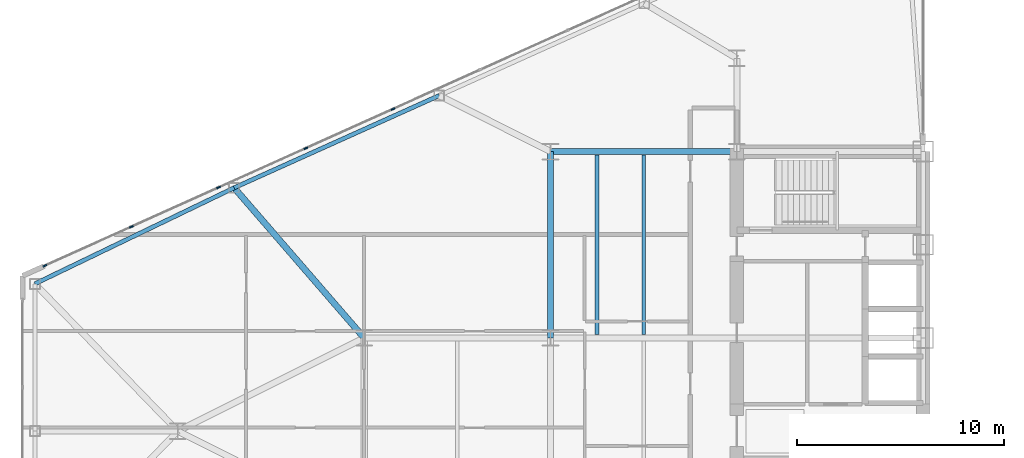
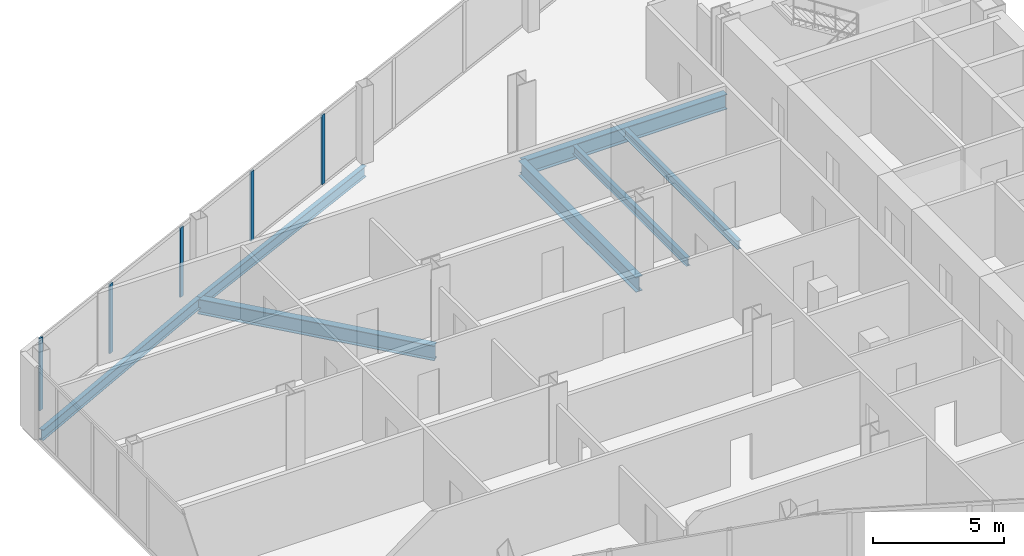
# One storey, part 7 of 27: 7 beams, 5 members, 1 element without a shape of its own.
"""IFC4 building model written with IfcOpenShell, lengths in metres."""

from ifc_helpers import new_model, si_unit, direction, frame, origin, origin_2d, place, context, subcontext, project, spatial, rectangle, i_section, extrude, source, transform, mapped, material, layer, layer_set, material_profile, profile_set, type_object, type_shapes, element, aggregate, save


model = new_model("IFC4")

# Units and contexts
model_context = context("Model", 3, precision=1e-05, world=origin(), true_north=direction((0.0, 1.0)))
body_context = subcontext(model_context, "Body", "Model", "MODEL_VIEW")
ifc_project = project(units=[si_unit("LENGTHUNIT", "METRE"), si_unit("AREAUNIT", "SQUARE_METRE"), si_unit("VOLUMEUNIT", "CUBIC_METRE"), si_unit("PLANEANGLEUNIT", "RADIAN"), si_unit("MASSUNIT", "GRAM", prefix="KILO")], contexts=[model_context])

# Site, building, storey
site_placement = place(None, origin())
site = spatial("IfcSite", under=ifc_project, at=site_placement, CompositionType="ELEMENT")
building_placement = place(site_placement, origin())
building = spatial("IfcBuilding", under=site, at=building_placement, Name="Seokmaru Belvedere", CompositionType="ELEMENT")
storey_placement = place(building_placement, frame((0.0, 0.0, 65.699951171875)))
storey = spatial("IfcBuildingStorey", under=building, at=storey_placement, Name="L17", CompositionType="ELEMENT", Elevation=65.699951171875)

# Beams
ifc_material_1 = material(Name="Steel SM355 (355 MPa)", Category="steel")
ifc_material_profile_1 = material_profile(ifc_material_1, i_section(OverallWidth=0.300048828125, OverallDepth=0.699951171875, WebThickness=0.012939453125, FlangeThickness=0.02392578125, at=origin_2d()), Name="H-700x300x13x24")
ifc_profile_set_1 = profile_set([ifc_material_profile_1], Name="Steel SM355 (355 MPa)")
beam_type_1 = type_object("IfcBeamType", Name="Primary Floor Girder H-700", PredefinedType="BEAM", material=ifc_profile_set_1)
shared_shape_1 = source(origin(), body_context, "Body", "SweptSolid", [
    extrude(i_section(OverallWidth=0.300048828125, OverallDepth=0.699951171875, WebThickness=0.012939453125, FlangeThickness=0.02392578125, at=origin_2d()), origin(), (0.0, 0.0, 1.0), 9.0),
])
for number, where, z_axis, x_axis, name in (
    (1, (-45.5, 4.5, -0.570068359375), (0.0, 1.0, 0.0), (-1.0, 0.0, 0.0), "L17 W Interior Grid Girder 3"),
    (2, (-45.5, 13.5, -0.570068359375), (1.0, 0.0, 0.0), (0.0, 1.0, 0.0), "L17 W Wing Primary Girder 4"),
):
    element("IfcBeam", number, at=place(storey_placement, frame(where, z_axis=z_axis, x_axis=x_axis)), inside=storey, type_object=beam_type_1, Name=name, PredefinedType="BEAM", context=body_context, shape_type="MappedRepresentation", body=[
        mapped(shared_shape_1, transform((0.0, 0.0, 0.0), scale=1.0)),
    ])
ifc_material_profile_2 = material_profile(ifc_material_1, i_section(OverallWidth=0.18505859375, OverallDepth=0.389892578125, WebThickness=0.008056640625, FlangeThickness=0.011962890625, at=origin_2d()), Name="H-390x185x8x12")
ifc_profile_set_2 = profile_set([ifc_material_profile_2], Name="Steel SM355 (355 MPa)")
beam_type_2 = type_object("IfcBeamType", Name="Secondary Floor Joist H-350", PredefinedType="JOIST", material=ifc_profile_set_2)
shared_shape_2 = source(origin(), body_context, "Body", "SweptSolid", [
    extrude(i_section(OverallWidth=0.18505859375, OverallDepth=0.389892578125, WebThickness=0.008056640625, FlangeThickness=0.011962890625, at=origin_2d()), origin(), (0.0, 0.0, 1.0), 8.68994140625),
])
type_shapes(beam_type_2, [shared_shape_2])
for number, where, z_axis, x_axis, name in (
    (3, (-43.25, 4.655029296875, -0.4150390625), (0.0, 1.0, 0.0), (-1.0, 0.0, 0.0), "L17 W Wing Inner Secondary Joist 2"),
    (4, (-41.0, 4.655029296875, -0.4150390625), (0.0, 1.0, 0.0), (-1.0, 0.0, 0.0), "L17 W Secondary Floor Joist 3"),
):
    element("IfcBeam", number, at=place(storey_placement, frame(where, z_axis=z_axis, x_axis=x_axis)), inside=storey, type_object=beam_type_2, Name=name, PredefinedType="JOIST", context=body_context, shape_type="MappedRepresentation", body=[
        mapped(shared_shape_2, transform((0.0, 0.0, 0.0), scale=1.0)),
    ])
ifc_material_profile_3 = material_profile(ifc_material_1, i_section(OverallWidth=0.199951171875, OverallDepth=0.5, WebThickness=0.010009765625, FlangeThickness=0.01611328125, at=origin_2d()), Name="H-500x200x10x16")
ifc_profile_set_3 = profile_set([ifc_material_profile_3], Name="Steel SM355 (355 MPa)")
beam_type_3 = type_object("IfcBeamType", Name="Perimeter Spandrel Beam H-500", PredefinedType="SPANDREL", material=ifc_profile_set_3)
shared_shape_3 = source(origin(), body_context, "Body", "SweptSolid", [
    extrude(i_section(OverallWidth=0.199951171875, OverallDepth=0.5, WebThickness=0.010009765625, FlangeThickness=0.01611328125, at=origin_2d()), origin(), (0.0, 0.0, 1.0), 10.85888671875),
])
beam_1_placement = place(storey_placement, frame((-50.875, 16.205322265625, -0.469970703125), z_axis=(-0.911925291223, -0.410356263785, 0.0), x_axis=(0.410356263785, -0.911925291223, 0.0)))
element("IfcBeam", 5, at=beam_1_placement, inside=storey, type_object=beam_type_3, Name="L17 W Faceted Flank Spandrel N-3", PredefinedType="SPANDREL", context=body_context, shape_type="MappedRepresentation", body=[
    mapped(shared_shape_3, transform((0.0, 0.0, 0.0), scale=1.0)),
])
shared_shape_4 = source(origin(), body_context, "Body", "SweptSolid", [
    extrude(i_section(OverallWidth=0.199951171875, OverallDepth=0.5, WebThickness=0.010009765625, FlangeThickness=0.01611328125, at=origin_2d()), origin(), (0.0, 0.0, 1.0), 10.681396484375),
])
type_shapes(beam_type_3, [shared_shape_3, shared_shape_4])
beam_2_placement = place(storey_placement, frame((-60.777587890625, 11.749267578125, -0.469970703125), z_axis=(-0.900846426616, -0.434137899352, 0.0), x_axis=(0.434137899352, -0.900846426616, 0.0)))
element("IfcBeam", 6, at=beam_2_placement, inside=storey, type_object=beam_type_3, Name="L17 W Faceted Flank Spandrel N-4", PredefinedType="SPANDREL", context=body_context, shape_type="MappedRepresentation", body=[
    mapped(shared_shape_4, transform((0.0, 0.0, 0.0), scale=1.0)),
])
shared_shape_5 = source(origin(), body_context, "Body", "SweptSolid", [
    extrude(i_section(OverallWidth=0.300048828125, OverallDepth=0.699951171875, WebThickness=0.012939453125, FlangeThickness=0.02392578125, at=origin_2d()), origin(), (0.0, 0.0, 1.0), 9.589599609375),
])
type_shapes(beam_type_1, [shared_shape_1, shared_shape_5])
beam_3_placement = place(storey_placement, frame((-60.777587890625, 11.749267578125, -0.570068359375), z_axis=(0.654626140929, -0.755952786629, 0.0), x_axis=(0.755952786629, 0.654626140929, 0.0)))
element("IfcBeam", 7, at=beam_3_placement, inside=storey, type_object=beam_type_1, Name="L17 W Flank Radial Floor Girder N-3", PredefinedType="BEAM", context=body_context, shape_type="MappedRepresentation", body=[
    mapped(shared_shape_5, transform((0.0, 0.0, 0.0), scale=1.0)),
])

# Curtain wall, members
ifc_material_2 = material(Name="Bronze Triple Insulating Glass", Category="glass")
ifc_layer = layer(ifc_material_2, 0.195068359375)
ifc_layer_set = layer_set([ifc_layer], Name="Bronze Triple Insulating Glass")
curtain_wall_type = type_object("IfcCurtainWallType", Name="Lower-Mid Tapered Curtain Wall System CW-3", PredefinedType="NOTDEFINED", material=ifc_layer_set)
curtain_wall_placement = place(storey_placement, origin())
curtain_wall = element("IfcCurtainWall", 8, at=curtain_wall_placement, inside=storey, type_object=curtain_wall_type, Name="L17 Curtain Wall WF3", PredefinedType="NOTDEFINED")
ifc_material_3 = material(Name="Anodised Bronze Aluminium", Category="aluminium")
ifc_material_profile_4 = material_profile(ifc_material_3, rectangle(XDim=0.070068359375, YDim=0.195068359375, at=origin_2d()), Name="CW-M-70x195")
ifc_profile_set_4 = profile_set([ifc_material_profile_4], Name="Anodised Bronze Aluminium")
member_type = type_object("IfcMemberType", Name="Bronze Unitised Mullion 70x195", PredefinedType="MULLION", material=ifc_profile_set_4)
shared_shape_6 = source(origin(), body_context, "Body", "SweptSolid", [
    extrude(rectangle(XDim=0.070068359375, YDim=0.195068359375, at=origin_2d()), origin(), (0.0, 0.0, 1.0), 3.239990234375),
])
member_1_placement = place(storey_placement, frame((-53.105712890625, 15.552490234375, 0.070068359375), z_axis=(0.0, 0.0, 1.0), x_axis=(0.41036554765, -0.91192111353, 0.0)))
member_1 = element("IfcMember", 9, at=member_1_placement, type_object=member_type, Name="CW:L17:WF3 Mullion 6", PredefinedType="MULLION", context=body_context, shape_type="MappedRepresentation", body=[
    mapped(shared_shape_6, transform((0.0, 0.0, 0.0), scale=1.0)),
])
member_2_placement = place(storey_placement, frame((-57.317138671875, 13.6572265625, 0.070068359375), z_axis=(0.0, 0.0, 1.0), x_axis=(0.41036554765, -0.91192111353, 0.0)))
member_2 = element("IfcMember", 10, at=member_2_placement, type_object=member_type, Name="CW:L17:WF3 Mullion 7", PredefinedType="MULLION", context=body_context, shape_type="MappedRepresentation", body=[
    mapped(shared_shape_6, transform((0.0, 0.0, 0.0), scale=1.0)),
])
member_3_placement = place(storey_placement, frame((-61.528564453125, 11.76220703125, 0.070068359375), z_axis=(0.0, 0.0, 1.0), x_axis=(0.41036554765, -0.91192111353, 0.0)))
member_3 = element("IfcMember", 11, at=member_3_placement, type_object=member_type, Name="CW:L17:WF3 Mullion 8", PredefinedType="MULLION", context=body_context, shape_type="MappedRepresentation", body=[
    mapped(shared_shape_6, transform((0.0, 0.0, 0.0), scale=1.0)),
])
member_4_placement = place(storey_placement, frame((-65.739990234375, 9.866943359375, 0.070068359375), z_axis=(0.0, 0.0, 1.0), x_axis=(0.41036554765, -0.91192111353, 0.0)))
member_4 = element("IfcMember", 12, at=member_4_placement, type_object=member_type, Name="CW:L17:WF3 Mullion 9", PredefinedType="MULLION", context=body_context, shape_type="MappedRepresentation", body=[
    mapped(shared_shape_6, transform((0.0, 0.0, 0.0), scale=1.0)),
])
shared_shape_7 = source(origin(), body_context, "Body", "SweptSolid", [
    extrude(rectangle(XDim=0.070068359375, YDim=0.195068359375, at=origin_2d()), origin(), (0.0, 0.0, 1.0), 3.380126953125),
])
type_shapes(member_type, [shared_shape_6, shared_shape_7])
member_5_placement = place(storey_placement, frame((-69.91943359375, 7.986328125, 0.0), z_axis=(0.0, 0.0, 1.0), x_axis=(0.41036554765, -0.91192111353, 0.0)))
member_5 = element("IfcMember", 13, at=member_5_placement, type_object=member_type, Name="CW:L17:WF3 Mullion 10", PredefinedType="MULLION", context=body_context, shape_type="MappedRepresentation", body=[
    mapped(shared_shape_7, transform((0.0, 0.0, 0.0), scale=1.0)),
])
aggregate(curtain_wall, [member_1, member_2, member_3, member_4, member_5])

save(model, "model.ifc")
